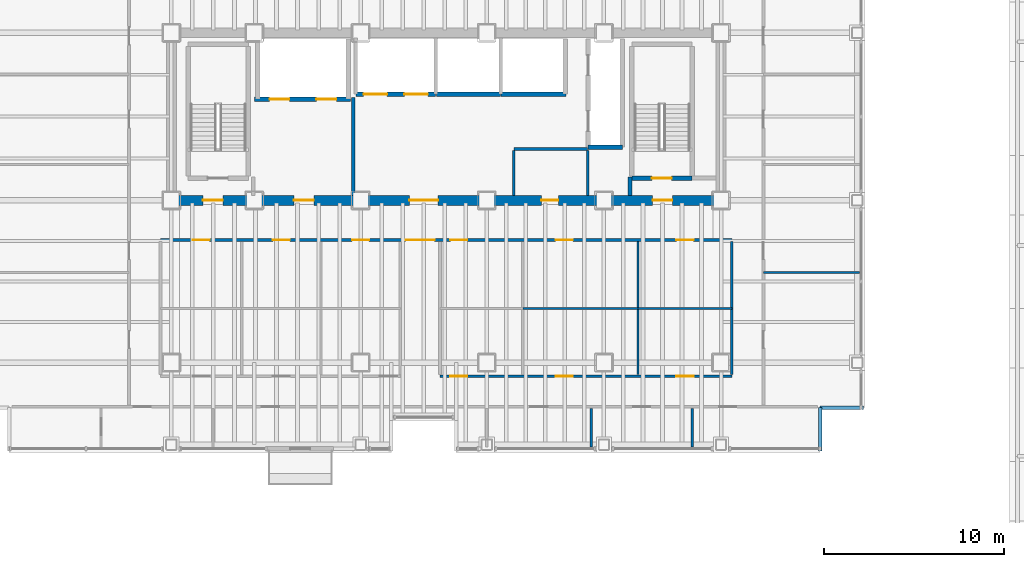
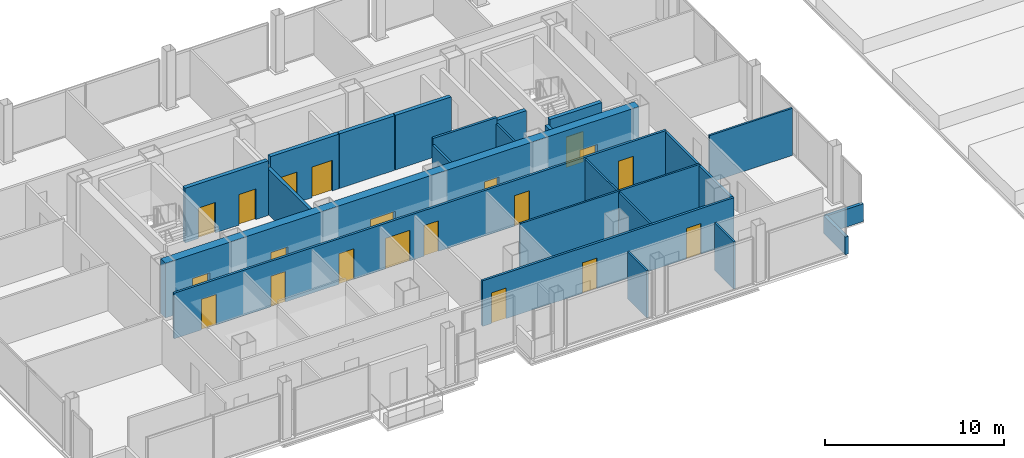
# One storey, part 26 of 30: 23 walls, 20 doors, 20 openings.
"""IFC4 building model written with IfcOpenShell, lengths in metres."""

from ifc_helpers import new_model, si_unit, direction, frame, frame_2d, origin, place, context, subcontext, project, spatial, rectangle, extrude, material, layer, layer_set, type_object, element, fill, save


model = new_model("IFC4")

# Units and contexts
model_context = context("Model", 3, precision=1e-05, world=origin(), true_north=direction((0.0, 1.0)))
body_context = subcontext(model_context, "Body", "Model", "MODEL_VIEW")
ifc_project = project(units=[si_unit("LENGTHUNIT", "METRE"), si_unit("AREAUNIT", "SQUARE_METRE"), si_unit("VOLUMEUNIT", "CUBIC_METRE"), si_unit("PLANEANGLEUNIT", "RADIAN"), si_unit("MASSUNIT", "GRAM", prefix="KILO")], contexts=[model_context])

# Site, building, storey
site_placement = place(None, origin())
site = spatial("IfcSite", under=ifc_project, at=site_placement, CompositionType="ELEMENT")
building_placement = place(site_placement, origin())
building = spatial("IfcBuilding", under=site, at=building_placement, Name="Noeulbin Bourse Tower", CompositionType="ELEMENT")
storey_placement = place(building_placement, frame((0.0, 0.0, 26.5)))
storey = spatial("IfcBuildingStorey", under=building, at=storey_placement, Name="L06", CompositionType="ELEMENT", Elevation=26.5)

# Wall, openings, doors
ifc_material_1 = material(Name="Concrete C60/75", Category="concrete")
ifc_layer_1 = layer(ifc_material_1, 0.550048828125)
ifc_layer_set_1 = layer_set([ifc_layer_1], Name="Concrete C60/75")
wall_type_1 = type_object("IfcWallType", Name="WAL-CORE-550", PredefinedType="SHEAR", material=ifc_layer_set_1)
wall_1_placement = place(storey_placement, frame((13.5, 29.0, 0.0), z_axis=(0.0, 0.0, 1.0), x_axis=(1.0, 0.0, 0.0)))
wall_1 = element("IfcWall", 1, at=wall_1_placement, inside=storey, type_object=wall_type_1, Name="Rear Core South Shear Wall L06", PredefinedType="SHEAR", context=body_context, shape_type="SweptSolid", body=[
    extrude(rectangle(XDim=30.5, YDim=0.550048828125, at=frame_2d((15.25, 0.0))), origin(), (0.0, 0.0, 1.0), 3.719970703125),
])
opening_1_placement = place(wall_1_placement, frame((1.75, 0.0, 0.0)))
opening_1 = element("IfcOpeningElement", 2, at=opening_1_placement, cuts=wall_1, Name="Opening FD-11", PredefinedType="OPENING", context=body_context, shape_type="SweptSolid", body=[
    extrude(rectangle(XDim=1.10009765625, YDim=2.080078125, at=frame_2d((0.550048828125, 1.0400390625))), frame((0.0, 0.284912109375, 0.0), z_axis=(0.0, -1.0, 0.0), x_axis=(1.0, 0.0, 0.0)), (0.0, 0.0, 1.0), 0.570068359375),
])
opening_2_placement = place(wall_1_placement, frame((26.699951171875, 0.0, 0.0)))
opening_2 = element("IfcOpeningElement", 3, at=opening_2_placement, cuts=wall_1, Name="Opening FD-11", PredefinedType="OPENING", context=body_context, shape_type="SweptSolid", body=[
    extrude(rectangle(XDim=1.10009765625, YDim=2.080078125, at=frame_2d((0.550048828125, 1.0400390625))), frame((0.0, 0.284912109375, 0.0), z_axis=(0.0, -1.0, 0.0), x_axis=(1.0, 0.0, 0.0)), (0.0, 0.0, 1.0), 0.570068359375),
])
opening_3_placement = place(wall_1_placement, frame((6.800048828125, 0.0, 0.0)))
opening_3 = element("IfcOpeningElement", 4, at=opening_3_placement, cuts=wall_1, Name="Opening FD-11", PredefinedType="OPENING", context=body_context, shape_type="SweptSolid", body=[
    extrude(rectangle(XDim=1.10009765625, YDim=2.080078125, at=frame_2d((0.550048828125, 1.0400390625))), frame((0.0, 0.284912109375, 0.0), z_axis=(0.0, -1.0, 0.0), x_axis=(1.0, 0.0, 0.0)), (0.0, 0.0, 1.0), 0.570068359375),
])
opening_4_placement = place(wall_1_placement, frame((13.199951171875, 0.0, 0.0)))
opening_4 = element("IfcOpeningElement", 5, at=opening_4_placement, cuts=wall_1, Name="Opening ID-16", PredefinedType="OPENING", context=body_context, shape_type="SweptSolid", body=[
    extrude(rectangle(XDim=1.60009765625, YDim=2.080078125, at=frame_2d((0.800048828125, 1.0400390625))), frame((0.0, 0.284912109375, 0.0), z_axis=(0.0, -1.0, 0.0), x_axis=(1.0, 0.0, 0.0)), (0.0, 0.0, 1.0), 0.570068359375),
])
opening_5_placement = place(wall_1_placement, frame((20.52490234375, 0.0, 0.0)))
opening_5 = element("IfcOpeningElement", 6, at=opening_5_placement, cuts=wall_1, Name="Opening ID-09", PredefinedType="OPENING", context=body_context, shape_type="SweptSolid", body=[
    extrude(rectangle(XDim=0.949951171875, YDim=2.080078125, at=frame_2d((0.47509765625, 1.0400390625))), frame((0.0, 0.284912109375, 0.0), z_axis=(0.0, -1.0, 0.0), x_axis=(1.0, 0.0, 0.0)), (0.0, 0.0, 1.0), 0.570068359375),
])
ifc_material_2 = material(Name="Acoustic Glazed Aluminium", Category="aluminium")
door_type_1 = type_object("IfcDoorType", Name="DR-DBL-1600", OperationType="DOUBLE_DOOR_SINGLE_SWING", PredefinedType="DOOR", material=ifc_material_2)
door_1_placement = place(opening_4_placement, origin())
door_1 = element("IfcDoor", 7, at=door_1_placement, inside=storey, type_object=door_type_1, Name="Passenger Lift Lobby Portal L06", OperationType="DOUBLE_DOOR_SINGLE_SWING", OverallHeight=2.080078125, OverallWidth=1.60009765625, PredefinedType="DOOR", context=body_context, shape_type="SweptSolid", body=[
    extrude(rectangle(XDim=1.60009765625, YDim=2.080078125, at=frame_2d((0.800048828125, 1.0400390625))), frame((0.0, 0.02490234375, 0.0), z_axis=(0.0, -1.0, 0.0), x_axis=(1.0, 0.0, 0.0)), (0.0, 0.0, 1.0), 0.050048828125),
])
fill(opening_4, door_1)
ifc_material_3 = material(Name="Fire-Rated Insulated Steel", Category="steel")
door_type_2 = type_object("IfcDoorType", Name="DR-FD60-1100", OperationType="SINGLE_SWING_LEFT", PredefinedType="DOOR", material=ifc_material_3)
door_2_placement = place(opening_1_placement, origin())
door_2 = element("IfcDoor", 8, at=door_2_placement, inside=storey, type_object=door_type_2, Name="West Stair Lobby Door L06", OperationType="SINGLE_SWING_RIGHT", OverallHeight=2.080078125, OverallWidth=1.10009765625, PredefinedType="DOOR", context=body_context, shape_type="SweptSolid", body=[
    extrude(rectangle(XDim=1.10009765625, YDim=2.080078125, at=frame_2d((0.550048828125, 1.0400390625))), frame((0.0, 0.02490234375, 0.0), z_axis=(0.0, -1.0, 0.0), x_axis=(1.0, 0.0, 0.0)), (0.0, 0.0, 1.0), 0.050048828125),
])
fill(opening_1, door_2)
door_3_placement = place(opening_2_placement, origin())
door_3 = element("IfcDoor", 9, at=door_3_placement, inside=storey, type_object=door_type_2, Name="East Stair Lobby Door L06", OperationType="SINGLE_SWING_LEFT", OverallHeight=2.080078125, OverallWidth=1.10009765625, PredefinedType="DOOR", context=body_context, shape_type="SweptSolid", body=[
    extrude(rectangle(XDim=1.10009765625, YDim=2.080078125, at=frame_2d((0.550048828125, 1.0400390625))), frame((0.0, 0.02490234375, 0.0), z_axis=(0.0, -1.0, 0.0), x_axis=(1.0, 0.0, 0.0)), (0.0, 0.0, 1.0), 0.050048828125),
])
fill(opening_2, door_3)
door_4_placement = place(opening_3_placement, origin())
door_4 = element("IfcDoor", 10, at=door_4_placement, inside=storey, type_object=door_type_2, Name="Firefighting Lobby Door L06", OperationType="SINGLE_SWING_RIGHT", OverallHeight=2.080078125, OverallWidth=1.10009765625, PredefinedType="DOOR", context=body_context, shape_type="SweptSolid", body=[
    extrude(rectangle(XDim=1.10009765625, YDim=2.080078125, at=frame_2d((0.550048828125, 1.0400390625))), frame((0.0, 0.02490234375, 0.0), z_axis=(0.0, -1.0, 0.0), x_axis=(1.0, 0.0, 0.0)), (0.0, 0.0, 1.0), 0.050048828125),
])
fill(opening_3, door_4)
ifc_material_4 = material(Name="Acoustic Solid-Core Timber", Category="wood")
door_type_3 = type_object("IfcDoorType", Name="DR-SINGLE-950", OperationType="SINGLE_SWING_LEFT", PredefinedType="DOOR", material=ifc_material_4)
door_5_placement = place(opening_5_placement, origin())
door_5 = element("IfcDoor", 11, at=door_5_placement, inside=storey, type_object=door_type_3, Name="Interior Door L06-05", OperationType="SINGLE_SWING_RIGHT", OverallHeight=2.080078125, OverallWidth=0.949951171875, PredefinedType="DOOR", context=body_context, shape_type="SweptSolid", body=[
    extrude(rectangle(XDim=0.949951171875, YDim=2.080078125, at=frame_2d((0.47509765625, 1.0400390625))), frame((0.0, 0.02490234375, 0.0), z_axis=(0.0, -1.0, 0.0), x_axis=(1.0, 0.0, 0.0)), (0.0, 0.0, 1.0), 0.050048828125),
])
fill(opening_5, door_5)

# Walls
ifc_material_5 = material(Name="Concrete C40/50", Category="concrete")
ifc_layer_2 = layer(ifc_material_5, 0.199951171875)
ifc_layer_set_2 = layer_set([ifc_layer_2], Name="Concrete C40/50")
wall_type_2 = type_object("IfcWallType", Name="WAL-FIRE-200", PredefinedType="STANDARD", material=ifc_layer_set_2)
wall_2_placement = place(storey_placement, frame((38.949951171875, 29.284912109375, 0.0), z_axis=(0.0, 0.0, 1.0), x_axis=(0.0, 1.0, 0.0)))
element("IfcWall", 12, at=wall_2_placement, inside=storey, type_object=wall_type_2, Name="Interior Partition Wall L06-21", PredefinedType="STANDARD", context=body_context, shape_type="SweptSolid", body=[
    extrude(rectangle(XDim=1.01513671875, YDim=0.199951171875, at=frame_2d((0.507568359375, 0.0))), origin(), (0.0, 0.0, 1.0), 3.300048828125),
])
wall_3_placement = place(storey_placement, frame((23.60009765625, 29.284912109375, 0.0), z_axis=(0.0, 0.0, 1.0), x_axis=(0.0, 1.0, 0.0)))
element("IfcWall", 13, at=wall_3_placement, inside=storey, type_object=wall_type_2, Name="Interior Partition Wall L06-22", PredefinedType="STANDARD", context=body_context, shape_type="SweptSolid", body=[
    extrude(rectangle(XDim=5.4150390625, YDim=0.199951171875, at=frame_2d((2.70751953125, 0.0))), origin(), (0.0, 0.0, 1.0), 3.10009765625),
])
ifc_layer_3 = layer(ifc_material_5, 0.199951171875)
ifc_layer_set_3 = layer_set([ifc_layer_3], Name="Concrete C40/50")
wall_type_3 = type_object("IfcWallType", Name="WAL-PAR-200", PredefinedType="PARAPET", material=ifc_layer_set_3)
for number, where, z_axis, x_axis, name in (
    (14, (49.5, 15.10009765625, 0.0), (0.0, 0.0, 1.0), (0.0, 1.0, 0.0), "Corner Notch Parapet L06-SE1"),
    (15, (49.5, 17.5, 0.0), (0.0, 0.0, 1.0), (1.0, 0.0, 0.0), "Corner Notch Parapet L06-SE2"),
):
    element("IfcWall", number, at=place(storey_placement, frame(where, z_axis=z_axis, x_axis=x_axis)), inside=storey, type_object=wall_type_3, Name=name, PredefinedType="PARAPET", context=body_context, shape_type="SweptSolid", body=[
        extrude(rectangle(XDim=2.39990234375, YDim=0.199951171875, at=frame_2d((1.199951171875, 0.0))), origin(), (0.0, 0.0, 1.0), 1.199951171875),
    ])
ifc_material_6 = material(Name="Steel Stud Gypsum Partition", Category="steel")
ifc_layer_4 = layer(ifc_material_6, 0.1201171875)
ifc_layer_set_4 = layer_set([ifc_layer_4], Name="Steel Stud Gypsum Partition")
wall_type_4 = type_object("IfcWallType", Name="WAL-PRT-120", PredefinedType="PARTITIONING", material=ifc_layer_set_4)
wall_4_placement = place(storey_placement, frame((33.0, 23.0, 0.0), z_axis=(0.0, 0.0, 1.0), x_axis=(1.0, 0.0, 0.0)))
element("IfcWall", 16, at=wall_4_placement, inside=storey, type_object=wall_type_4, Name="Interior Partition Wall L06-11", PredefinedType="PARTITIONING", context=body_context, shape_type="SweptSolid", body=[
    extrude(rectangle(XDim=6.39990234375, YDim=0.1201171875, at=frame_2d((3.199951171875, 0.0))), origin(), (0.0, 0.0, 1.0), 3.10009765625),
])
wall_5_placement = place(storey_placement, frame((39.39990234375, 23.0, 0.0), z_axis=(0.0, 0.0, 1.0), x_axis=(1.0, 0.0, 0.0)))
element("IfcWall", 17, at=wall_5_placement, inside=storey, type_object=wall_type_4, Name="Interior Partition Wall L06-12", PredefinedType="PARTITIONING", context=body_context, shape_type="SweptSolid", body=[
    extrude(rectangle(XDim=5.2001953125, YDim=0.1201171875, at=frame_2d((2.60009765625, 0.0))), origin(), (0.0, 0.0, 1.0), 3.10009765625),
])
wall_6_placement = place(storey_placement, frame((46.35009765625, 25.0, 0.0), z_axis=(0.0, 0.0, 1.0), x_axis=(1.0, 0.0, 0.0)))
element("IfcWall", 18, at=wall_6_placement, inside=storey, type_object=wall_type_4, Name="Interior Partition Wall L06-16", PredefinedType="PARTITIONING", context=body_context, shape_type="SweptSolid", body=[
    extrude(rectangle(XDim=5.33984375, YDim=0.1201171875, at=frame_2d((2.669921875, 0.0))), origin(), (0.0, 0.0, 1.0), 3.2119140625),
])
wall_7_placement = place(storey_placement, frame((36.60009765625, 29.284912109375, 0.0), z_axis=(0.0, 0.0, 1.0), x_axis=(0.0, 1.0, 0.0)))
element("IfcWall", 19, at=wall_7_placement, inside=storey, type_object=wall_type_4, Name="Interior Partition Wall L06-24", PredefinedType="PARTITIONING", context=body_context, shape_type="SweptSolid", body=[
    extrude(rectangle(XDim=2.47998046875, YDim=0.1201171875, at=frame_2d((1.239990234375, 0.0))), origin(), (0.0, 0.0, 1.0), 3.300048828125),
])
for number, where, z_axis, x_axis, name in (
    (20, (36.800048828125, 15.31005859375, 0.0), (0.0, 0.0, 1.0), (0.0, 1.0, 0.0), "Interior Partition Wall L06-34"),
    (21, (42.39990234375, 15.31005859375, 0.0), (0.0, 0.0, 1.0), (0.0, 1.0, 0.0), "Interior Partition Wall L06-35"),
):
    element("IfcWall", number, at=place(storey_placement, frame(where, z_axis=z_axis, x_axis=x_axis)), inside=storey, type_object=wall_type_4, Name=name, PredefinedType="PARTITIONING", context=body_context, shape_type="SweptSolid", body=[
        extrude(rectangle(XDim=2.155029296875, YDim=0.1201171875, at=frame_2d((1.07763671875, 0.0))), origin(), (0.0, 0.0, 1.0), 3.2119140625),
    ])
wall_8_placement = place(storey_placement, frame((39.39990234375, 19.3349609375, 0.0), z_axis=(0.0, 0.0, 1.0), x_axis=(0.0, 1.0, 0.0)))
element("IfcWall", 22, at=wall_8_placement, inside=storey, type_object=wall_type_4, Name="Interior Partition Wall L06-39", PredefinedType="PARTITIONING", context=body_context, shape_type="SweptSolid", body=[
    extrude(rectangle(XDim=7.380126953125, YDim=0.1201171875, at=frame_2d((3.68994140625, 0.0))), origin(), (0.0, 0.0, 1.0), 3.0),
])
ifc_material_7 = material(Name="Steel Stud Acoustic Gypsum Board", Category="steel")
ifc_layer_5 = layer(ifc_material_7, 0.14990234375)
ifc_layer_set_5 = layer_set([ifc_layer_5], Name="Steel Stud Acoustic Gypsum Board")
wall_type_5 = type_object("IfcWallType", Name="WAL-PRT-150", PredefinedType="PARTITIONING", material=ifc_layer_set_5)
wall_9_placement = place(storey_placement, frame((32.5, 31.85009765625, 0.0), z_axis=(0.0, 0.0, 1.0), x_axis=(1.0, 0.0, 0.0)))
element("IfcWall", 23, at=wall_9_placement, inside=storey, type_object=wall_type_5, Name="Interior Partition Wall L06-02", PredefinedType="PARTITIONING", context=body_context, shape_type="SweptSolid", body=[
    extrude(rectangle(XDim=4.10009765625, YDim=0.14990234375, at=frame_2d((2.050048828125, 0.0))), origin(), (0.0, 0.0, 1.0), 3.719970703125),
])

# Wall, openings, doors
wall_10_placement = place(storey_placement, frame((12.89990234375, 26.800048828125, 0.0), z_axis=(0.0, 0.0, 1.0), x_axis=(1.0, 0.0, 0.0)))
wall_10 = element("IfcWall", 24, at=wall_10_placement, inside=storey, type_object=wall_type_5, Name="Interior Partition Wall L06-03", PredefinedType="PARTITIONING", context=body_context, shape_type="SweptSolid", body=[
    extrude(rectangle(XDim=31.7001953125, YDim=0.14990234375, at=frame_2d((15.85009765625, 0.0))), origin(), (0.0, 0.0, 1.0), 3.10009765625),
])
opening_6_placement = place(wall_10_placement, frame((13.60009765625, 0.0, 0.0)))
opening_6 = element("IfcOpeningElement", 25, at=opening_6_placement, cuts=wall_10, Name="Opening ID-16", PredefinedType="OPENING", context=body_context, shape_type="SweptSolid", body=[
    extrude(rectangle(XDim=1.60009765625, YDim=2.080078125, at=frame_2d((0.800048828125, 1.0400390625))), frame((0.0, 0.0849609375, 0.0), z_axis=(0.0, -1.0, 0.0), x_axis=(1.0, 0.0, 0.0)), (0.0, 0.0, 1.0), 0.169921875),
])
opening_7_placement = place(wall_10_placement, frame((1.77490234375, 0.0, 0.0)))
opening_7 = element("IfcOpeningElement", 26, at=opening_7_placement, cuts=wall_10, Name="Opening ID-09", PredefinedType="OPENING", context=body_context, shape_type="SweptSolid", body=[
    extrude(rectangle(XDim=0.949951171875, YDim=2.080078125, at=frame_2d((0.47509765625, 1.0400390625))), frame((0.0, 0.0849609375, 0.0), z_axis=(0.0, -1.0, 0.0), x_axis=(1.0, 0.0, 0.0)), (0.0, 0.0, 1.0), 0.169921875),
])
opening_8_placement = place(wall_10_placement, frame((6.22509765625, 0.0, 0.0)))
opening_8 = element("IfcOpeningElement", 27, at=opening_8_placement, cuts=wall_10, Name="Opening ID-09", PredefinedType="OPENING", context=body_context, shape_type="SweptSolid", body=[
    extrude(rectangle(XDim=0.949951171875, YDim=2.080078125, at=frame_2d((0.47509765625, 1.0400390625))), frame((0.0, 0.0849609375, 0.0), z_axis=(0.0, -1.0, 0.0), x_axis=(1.0, 0.0, 0.0)), (0.0, 0.0, 1.0), 0.169921875),
])
opening_9_placement = place(wall_10_placement, frame((10.625, 0.0, 0.0)))
opening_9 = element("IfcOpeningElement", 28, at=opening_9_placement, cuts=wall_10, Name="Opening ID-09", PredefinedType="OPENING", context=body_context, shape_type="SweptSolid", body=[
    extrude(rectangle(XDim=0.949951171875, YDim=2.080078125, at=frame_2d((0.47509765625, 1.0400390625))), frame((0.0, 0.0849609375, 0.0), z_axis=(0.0, -1.0, 0.0), x_axis=(1.0, 0.0, 0.0)), (0.0, 0.0, 1.0), 0.169921875),
])
opening_10_placement = place(wall_10_placement, frame((16.074951171875, 0.0, 0.0)))
opening_10 = element("IfcOpeningElement", 29, at=opening_10_placement, cuts=wall_10, Name="Opening ID-09", PredefinedType="OPENING", context=body_context, shape_type="SweptSolid", body=[
    extrude(rectangle(XDim=0.949951171875, YDim=2.080078125, at=frame_2d((0.47509765625, 1.0400390625))), frame((0.0, 0.0849609375, 0.0), z_axis=(0.0, -1.0, 0.0), x_axis=(1.0, 0.0, 0.0)), (0.0, 0.0, 1.0), 0.169921875),
])
opening_11_placement = place(wall_10_placement, frame((21.925048828125, 0.0, 0.0)))
opening_11 = element("IfcOpeningElement", 30, at=opening_11_placement, cuts=wall_10, Name="Opening ID-09", PredefinedType="OPENING", context=body_context, shape_type="SweptSolid", body=[
    extrude(rectangle(XDim=0.949951171875, YDim=2.080078125, at=frame_2d((0.47509765625, 1.0400390625))), frame((0.0, 0.0849609375, 0.0), z_axis=(0.0, -1.0, 0.0), x_axis=(1.0, 0.0, 0.0)), (0.0, 0.0, 1.0), 0.169921875),
])
opening_12_placement = place(wall_10_placement, frame((28.625, 0.0, 0.0)))
opening_12 = element("IfcOpeningElement", 31, at=opening_12_placement, cuts=wall_10, Name="Opening ID-09", PredefinedType="OPENING", context=body_context, shape_type="SweptSolid", body=[
    extrude(rectangle(XDim=0.949951171875, YDim=2.080078125, at=frame_2d((0.47509765625, 1.0400390625))), frame((0.0, 0.0849609375, 0.0), z_axis=(0.0, -1.0, 0.0), x_axis=(1.0, 0.0, 0.0)), (0.0, 0.0, 1.0), 0.169921875),
])
door_6_placement = place(opening_6_placement, origin())
door_6 = element("IfcDoor", 32, at=door_6_placement, inside=storey, type_object=door_type_1, Name="Interior Door L06-06", OperationType="DOUBLE_DOOR_SINGLE_SWING", OverallHeight=2.080078125, OverallWidth=1.60009765625, PredefinedType="DOOR", context=body_context, shape_type="SweptSolid", body=[
    extrude(rectangle(XDim=1.60009765625, YDim=2.080078125, at=frame_2d((0.800048828125, 1.0400390625))), frame((0.0, 0.02490234375, 0.0), z_axis=(0.0, -1.0, 0.0), x_axis=(1.0, 0.0, 0.0)), (0.0, 0.0, 1.0), 0.050048828125),
])
fill(opening_6, door_6)
door_7_placement = place(opening_7_placement, origin())
door_7 = element("IfcDoor", 33, at=door_7_placement, inside=storey, type_object=door_type_3, Name="Interior Door L06-13", OperationType="SINGLE_SWING_RIGHT", OverallHeight=2.080078125, OverallWidth=0.949951171875, PredefinedType="DOOR", context=body_context, shape_type="SweptSolid", body=[
    extrude(rectangle(XDim=0.949951171875, YDim=2.080078125, at=frame_2d((0.47509765625, 1.0400390625))), frame((0.0, 0.02490234375, 0.0), z_axis=(0.0, -1.0, 0.0), x_axis=(1.0, 0.0, 0.0)), (0.0, 0.0, 1.0), 0.050048828125),
])
fill(opening_7, door_7)
door_8_placement = place(opening_8_placement, origin())
door_8 = element("IfcDoor", 34, at=door_8_placement, inside=storey, type_object=door_type_3, Name="Interior Door L06-15", OperationType="SINGLE_SWING_RIGHT", OverallHeight=2.080078125, OverallWidth=0.949951171875, PredefinedType="DOOR", context=body_context, shape_type="SweptSolid", body=[
    extrude(rectangle(XDim=0.949951171875, YDim=2.080078125, at=frame_2d((0.47509765625, 1.0400390625))), frame((0.0, 0.02490234375, 0.0), z_axis=(0.0, -1.0, 0.0), x_axis=(1.0, 0.0, 0.0)), (0.0, 0.0, 1.0), 0.050048828125),
])
fill(opening_8, door_8)
door_9_placement = place(opening_9_placement, origin())
door_9 = element("IfcDoor", 35, at=door_9_placement, inside=storey, type_object=door_type_3, Name="Interior Door L06-17", OperationType="SINGLE_SWING_RIGHT", OverallHeight=2.080078125, OverallWidth=0.949951171875, PredefinedType="DOOR", context=body_context, shape_type="SweptSolid", body=[
    extrude(rectangle(XDim=0.949951171875, YDim=2.080078125, at=frame_2d((0.47509765625, 1.0400390625))), frame((0.0, 0.02490234375, 0.0), z_axis=(0.0, -1.0, 0.0), x_axis=(1.0, 0.0, 0.0)), (0.0, 0.0, 1.0), 0.050048828125),
])
fill(opening_9, door_9)
door_10_placement = place(opening_10_placement, origin())
door_10 = element("IfcDoor", 36, at=door_10_placement, inside=storey, type_object=door_type_3, Name="Interior Door L06-19", OperationType="SINGLE_SWING_RIGHT", OverallHeight=2.080078125, OverallWidth=0.949951171875, PredefinedType="DOOR", context=body_context, shape_type="SweptSolid", body=[
    extrude(rectangle(XDim=0.949951171875, YDim=2.080078125, at=frame_2d((0.47509765625, 1.0400390625))), frame((0.0, 0.02490234375, 0.0), z_axis=(0.0, -1.0, 0.0), x_axis=(1.0, 0.0, 0.0)), (0.0, 0.0, 1.0), 0.050048828125),
])
fill(opening_10, door_10)
door_11_placement = place(opening_11_placement, origin())
door_11 = element("IfcDoor", 37, at=door_11_placement, inside=storey, type_object=door_type_3, Name="Interior Door L06-21", OperationType="SINGLE_SWING_RIGHT", OverallHeight=2.080078125, OverallWidth=0.949951171875, PredefinedType="DOOR", context=body_context, shape_type="SweptSolid", body=[
    extrude(rectangle(XDim=0.949951171875, YDim=2.080078125, at=frame_2d((0.47509765625, 1.0400390625))), frame((0.0, 0.02490234375, 0.0), z_axis=(0.0, -1.0, 0.0), x_axis=(1.0, 0.0, 0.0)), (0.0, 0.0, 1.0), 0.050048828125),
])
fill(opening_11, door_11)
door_12_placement = place(opening_12_placement, origin())
door_12 = element("IfcDoor", 38, at=door_12_placement, inside=storey, type_object=door_type_3, Name="Interior Door L06-23", OperationType="SINGLE_SWING_RIGHT", OverallHeight=2.080078125, OverallWidth=0.949951171875, PredefinedType="DOOR", context=body_context, shape_type="SweptSolid", body=[
    extrude(rectangle(XDim=0.949951171875, YDim=2.080078125, at=frame_2d((0.47509765625, 1.0400390625))), frame((0.0, 0.02490234375, 0.0), z_axis=(0.0, -1.0, 0.0), x_axis=(1.0, 0.0, 0.0)), (0.0, 0.0, 1.0), 0.050048828125),
])
fill(opening_12, door_12)

wall_11_placement = place(storey_placement, frame((28.39990234375, 19.25, 0.0), z_axis=(0.0, 0.0, 1.0), x_axis=(1.0, 0.0, 0.0)))
wall_11 = element("IfcWall", 39, at=wall_11_placement, inside=storey, type_object=wall_type_5, Name="Interior Partition Wall L06-06", PredefinedType="PARTITIONING", context=body_context, shape_type="SweptSolid", body=[
    extrude(rectangle(XDim=16.2001953125, YDim=0.14990234375, at=frame_2d((8.10009765625, 0.0))), origin(), (0.0, 0.0, 1.0), 3.10009765625),
])
opening_13_placement = place(wall_11_placement, frame((0.574951171875, 0.0, 0.0)))
opening_13 = element("IfcOpeningElement", 40, at=opening_13_placement, cuts=wall_11, Name="Opening ID-09", PredefinedType="OPENING", context=body_context, shape_type="SweptSolid", body=[
    extrude(rectangle(XDim=0.949951171875, YDim=2.080078125, at=frame_2d((0.47509765625, 1.0400390625))), frame((0.0, 0.0849609375, 0.0), z_axis=(0.0, -1.0, 0.0), x_axis=(1.0, 0.0, 0.0)), (0.0, 0.0, 1.0), 0.169921875),
])
opening_14_placement = place(wall_11_placement, frame((6.425048828125, 0.0, 0.0)))
opening_14 = element("IfcOpeningElement", 41, at=opening_14_placement, cuts=wall_11, Name="Opening ID-09", PredefinedType="OPENING", context=body_context, shape_type="SweptSolid", body=[
    extrude(rectangle(XDim=0.949951171875, YDim=2.080078125, at=frame_2d((0.47509765625, 1.0400390625))), frame((0.0, 0.0849609375, 0.0), z_axis=(0.0, -1.0, 0.0), x_axis=(1.0, 0.0, 0.0)), (0.0, 0.0, 1.0), 0.169921875),
])
opening_15_placement = place(wall_11_placement, frame((13.125, 0.0, 0.0)))
opening_15 = element("IfcOpeningElement", 42, at=opening_15_placement, cuts=wall_11, Name="Opening ID-09", PredefinedType="OPENING", context=body_context, shape_type="SweptSolid", body=[
    extrude(rectangle(XDim=0.949951171875, YDim=2.080078125, at=frame_2d((0.47509765625, 1.0400390625))), frame((0.0, 0.0849609375, 0.0), z_axis=(0.0, -1.0, 0.0), x_axis=(1.0, 0.0, 0.0)), (0.0, 0.0, 1.0), 0.169921875),
])
door_13_placement = place(opening_13_placement, origin())
door_13 = element("IfcDoor", 43, at=door_13_placement, inside=storey, type_object=door_type_3, Name="Interior Door L06-20", OperationType="SINGLE_SWING_LEFT", OverallHeight=2.080078125, OverallWidth=0.949951171875, PredefinedType="DOOR", context=body_context, shape_type="SweptSolid", body=[
    extrude(rectangle(XDim=0.949951171875, YDim=2.080078125, at=frame_2d((0.47509765625, 1.0400390625))), frame((0.0, 0.02490234375, 0.0), z_axis=(0.0, -1.0, 0.0), x_axis=(1.0, 0.0, 0.0)), (0.0, 0.0, 1.0), 0.050048828125),
])
fill(opening_13, door_13)
door_14_placement = place(opening_14_placement, origin())
door_14 = element("IfcDoor", 44, at=door_14_placement, inside=storey, type_object=door_type_3, Name="Interior Door L06-22", OperationType="SINGLE_SWING_LEFT", OverallHeight=2.080078125, OverallWidth=0.949951171875, PredefinedType="DOOR", context=body_context, shape_type="SweptSolid", body=[
    extrude(rectangle(XDim=0.949951171875, YDim=2.080078125, at=frame_2d((0.47509765625, 1.0400390625))), frame((0.0, 0.02490234375, 0.0), z_axis=(0.0, -1.0, 0.0), x_axis=(1.0, 0.0, 0.0)), (0.0, 0.0, 1.0), 0.050048828125),
])
fill(opening_14, door_14)
door_15_placement = place(opening_15_placement, origin())
door_15 = element("IfcDoor", 45, at=door_15_placement, inside=storey, type_object=door_type_3, Name="Interior Door L06-24", OperationType="SINGLE_SWING_LEFT", OverallHeight=2.080078125, OverallWidth=0.949951171875, PredefinedType="DOOR", context=body_context, shape_type="SweptSolid", body=[
    extrude(rectangle(XDim=0.949951171875, YDim=2.080078125, at=frame_2d((0.47509765625, 1.0400390625))), frame((0.0, 0.02490234375, 0.0), z_axis=(0.0, -1.0, 0.0), x_axis=(1.0, 0.0, 0.0)), (0.0, 0.0, 1.0), 0.050048828125),
])
fill(opening_15, door_15)

# Walls
wall_12_placement = place(storey_placement, frame((32.5, 29.284912109375, 0.0), z_axis=(0.0, 0.0, 1.0), x_axis=(0.0, 1.0, 0.0)))
element("IfcWall", 46, at=wall_12_placement, inside=storey, type_object=wall_type_5, Name="Interior Partition Wall L06-23", PredefinedType="PARTITIONING", context=body_context, shape_type="SweptSolid", body=[
    extrude(rectangle(XDim=2.47998046875, YDim=0.14990234375, at=frame_2d((1.239990234375, 0.0))), origin(), (0.0, 0.0, 1.0), 3.300048828125),
])
wall_13_placement = place(storey_placement, frame((44.60009765625, 19.3349609375, 0.0), z_axis=(0.0, 0.0, 1.0), x_axis=(0.0, 1.0, 0.0)))
element("IfcWall", 47, at=wall_13_placement, inside=storey, type_object=wall_type_5, Name="Interior Partition Wall L06-30", PredefinedType="PARTITIONING", context=body_context, shape_type="SweptSolid", body=[
    extrude(rectangle(XDim=7.380126953125, YDim=0.14990234375, at=frame_2d((3.68994140625, 0.0))), origin(), (0.0, 0.0, 1.0), 3.0),
])

# Wall, opening, door
ifc_layer_6 = layer(ifc_material_5, 0.25)
ifc_layer_set_6 = layer_set([ifc_layer_6], Name="Concrete C40/50")
wall_type_6 = type_object("IfcWallType", Name="WAL-SHFT-250", PredefinedType="STANDARD", material=ifc_layer_set_6)
wall_14_placement = place(storey_placement, frame((39.06005859375, 30.235107421875, 0.0), z_axis=(0.0, 0.0, 1.0), x_axis=(1.0, 0.0, 0.0)))
wall_14 = element("IfcWall", 48, at=wall_14_placement, inside=storey, type_object=wall_type_6, Name="Stair ST-2 South Shaft Wall L06", PredefinedType="STANDARD", context=body_context, shape_type="SweptSolid", body=[
    extrude(rectangle(XDim=3.33984375, YDim=0.25, at=frame_2d((1.669921875, 0.0))), origin(), (0.0, 0.0, 1.0), 3.719970703125),
])
opening_16_placement = place(wall_14_placement, frame((1.10009765625, 0.0, 0.0)))
opening_16 = element("IfcOpeningElement", 49, at=opening_16_placement, cuts=wall_14, Name="Opening FD-11", PredefinedType="OPENING", context=body_context, shape_type="SweptSolid", body=[
    extrude(rectangle(XDim=1.10009765625, YDim=2.080078125, at=frame_2d((0.550048828125, 1.0400390625))), frame((0.0, 0.135009765625, 0.0), z_axis=(0.0, -1.0, 0.0), x_axis=(1.0, 0.0, 0.0)), (0.0, 0.0, 1.0), 0.27001953125),
])
door_16_placement = place(opening_16_placement, origin())
door_16 = element("IfcDoor", 50, at=door_16_placement, inside=storey, type_object=door_type_2, Name="Protected Stair Entry Door ST2-L06", OperationType="SINGLE_SWING_LEFT", OverallHeight=2.080078125, OverallWidth=1.10009765625, PredefinedType="DOOR", context=body_context, shape_type="SweptSolid", body=[
    extrude(rectangle(XDim=1.10009765625, YDim=2.080078125, at=frame_2d((0.550048828125, 1.0400390625))), frame((0.0, 0.02490234375, 0.0), z_axis=(0.0, -1.0, 0.0), x_axis=(1.0, 0.0, 0.0)), (0.0, 0.0, 1.0), 0.050048828125),
])
fill(opening_16, door_16)

# Wall, openings, doors
wall_15_placement = place(storey_placement, frame((18.10009765625, 34.6201171875, 0.0), z_axis=(0.0, 0.0, 1.0), x_axis=(1.0, 0.0, 0.0)))
wall_15 = element("IfcWall", 51, at=wall_15_placement, inside=storey, type_object=wall_type_6, Name="Firefighting Lift Shaft Front L06", PredefinedType="STANDARD", context=body_context, shape_type="SweptSolid", body=[
    extrude(rectangle(XDim=5.349853515625, YDim=0.25, at=frame_2d((2.6748046875, 0.0))), origin(), (0.0, 0.0, 1.0), 3.719970703125),
])
opening_17_placement = place(wall_15_placement, frame((0.85009765625, 0.0, 0.0)))
opening_17 = element("IfcOpeningElement", 52, at=opening_17_placement, cuts=wall_15, Name="Opening LD-11", PredefinedType="OPENING", context=body_context, shape_type="SweptSolid", body=[
    extrude(rectangle(XDim=1.10009765625, YDim=2.080078125, at=frame_2d((0.550048828125, 1.0400390625))), frame((0.0, 0.135009765625, 0.0), z_axis=(0.0, -1.0, 0.0), x_axis=(1.0, 0.0, 0.0)), (0.0, 0.0, 1.0), 0.27001953125),
])
opening_18_placement = place(wall_15_placement, frame((3.449951171875, 0.0, 0.0)))
opening_18 = element("IfcOpeningElement", 53, at=opening_18_placement, cuts=wall_15, Name="Opening LD-11", PredefinedType="OPENING", context=body_context, shape_type="SweptSolid", body=[
    extrude(rectangle(XDim=1.10009765625, YDim=2.080078125, at=frame_2d((0.550048828125, 1.0400390625))), frame((0.0, 0.135009765625, 0.0), z_axis=(0.0, -1.0, 0.0), x_axis=(1.0, 0.0, 0.0)), (0.0, 0.0, 1.0), 0.27001953125),
])
ifc_material_8 = material(Name="Brushed Stainless Steel 316", Category="steel")
door_type_4 = type_object("IfcDoorType", Name="DR-LIFT-1100", OperationType="SLIDING_TO_LEFT", PredefinedType="DOOR", material=ifc_material_8)
door_17_placement = place(opening_17_placement, origin())
door_17 = element("IfcDoor", 54, at=door_17_placement, inside=storey, type_object=door_type_4, Name="Lift Landing Door LD-FL-01-L06", OperationType="SLIDING_TO_LEFT", OverallHeight=2.080078125, OverallWidth=1.10009765625, PredefinedType="DOOR", context=body_context, shape_type="SweptSolid", body=[
    extrude(rectangle(XDim=1.10009765625, YDim=2.080078125, at=frame_2d((0.550048828125, 1.0400390625))), frame((0.0, 0.02490234375, 0.0), z_axis=(0.0, -1.0, 0.0), x_axis=(1.0, 0.0, 0.0)), (0.0, 0.0, 1.0), 0.050048828125),
])
fill(opening_17, door_17)
door_18_placement = place(opening_18_placement, origin())
door_18 = element("IfcDoor", 55, at=door_18_placement, inside=storey, type_object=door_type_4, Name="Lift Landing Door LD-FL-02-L06", OperationType="SLIDING_TO_LEFT", OverallHeight=2.080078125, OverallWidth=1.10009765625, PredefinedType="DOOR", context=body_context, shape_type="SweptSolid", body=[
    extrude(rectangle(XDim=1.10009765625, YDim=2.080078125, at=frame_2d((0.550048828125, 1.0400390625))), frame((0.0, 0.02490234375, 0.0), z_axis=(0.0, -1.0, 0.0), x_axis=(1.0, 0.0, 0.0)), (0.0, 0.0, 1.0), 0.050048828125),
])
fill(opening_18, door_18)

# Wall
wall_16_placement = place(storey_placement, frame((36.6201171875, 31.949951171875, 0.0), z_axis=(0.0, 0.0, 1.0), x_axis=(1.0, 0.0, 0.0)))
element("IfcWall", 56, at=wall_16_placement, inside=storey, type_object=wall_type_6, Name="Service Lift South Shaft Wall L06", PredefinedType="STANDARD", context=body_context, shape_type="SweptSolid", body=[
    extrude(rectangle(XDim=1.89990234375, YDim=0.25, at=frame_2d((0.949951171875, 0.0))), origin(), (0.0, 0.0, 1.0), 3.47998046875),
])

# Wall, openings, doors
wall_17_placement = place(storey_placement, frame((23.75, 34.89990234375, 0.0), z_axis=(0.0, 0.0, 1.0), x_axis=(1.0, 0.0, 0.0)))
wall_17 = element("IfcWall", 57, at=wall_17_placement, inside=storey, type_object=wall_type_6, Name="Low-Rise Lift Bank Front L06", PredefinedType="STANDARD", context=body_context, shape_type="SweptSolid", body=[
    extrude(rectangle(XDim=4.39990234375, YDim=0.25, at=frame_2d((2.199951171875, 0.0))), origin(), (0.0, 0.0, 1.0), 3.719970703125),
])
opening_19_placement = place(wall_17_placement, frame((0.419921875, 0.0, 0.0)))
opening_19 = element("IfcOpeningElement", 58, at=opening_19_placement, cuts=wall_17, Name="Opening LD-13", PredefinedType="OPENING", context=body_context, shape_type="SweptSolid", body=[
    extrude(rectangle(XDim=1.300048828125, YDim=2.080078125, at=frame_2d((0.64990234375, 1.0400390625))), frame((0.0, 0.135009765625, 0.0), z_axis=(0.0, -1.0, 0.0), x_axis=(1.0, 0.0, 0.0)), (0.0, 0.0, 1.0), 0.27001953125),
])
opening_20_placement = place(wall_17_placement, frame((2.679931640625, 0.0, 0.0)))
opening_20 = element("IfcOpeningElement", 59, at=opening_20_placement, cuts=wall_17, Name="Opening LD-13", PredefinedType="OPENING", context=body_context, shape_type="SweptSolid", body=[
    extrude(rectangle(XDim=1.300048828125, YDim=2.080078125, at=frame_2d((0.64990234375, 1.0400390625))), frame((0.0, 0.135009765625, 0.0), z_axis=(0.0, -1.0, 0.0), x_axis=(1.0, 0.0, 0.0)), (0.0, 0.0, 1.0), 0.27001953125),
])
door_type_5 = type_object("IfcDoorType", Name="DR-LIFT-1300", OperationType="DOUBLE_DOOR_SLIDING", PredefinedType="DOOR", material=ifc_material_8)
door_19_placement = place(opening_19_placement, origin())
door_19 = element("IfcDoor", 60, at=door_19_placement, inside=storey, type_object=door_type_5, Name="Lift Landing Door LD-PL-L1-L06", OperationType="DOUBLE_DOOR_SLIDING", OverallHeight=2.080078125, OverallWidth=1.300048828125, PredefinedType="DOOR", context=body_context, shape_type="SweptSolid", body=[
    extrude(rectangle(XDim=1.300048828125, YDim=2.080078125, at=frame_2d((0.64990234375, 1.0400390625))), frame((0.0, 0.02490234375, 0.0), z_axis=(0.0, -1.0, 0.0), x_axis=(1.0, 0.0, 0.0)), (0.0, 0.0, 1.0), 0.050048828125),
])
fill(opening_19, door_19)
door_20_placement = place(opening_20_placement, origin())
door_20 = element("IfcDoor", 61, at=door_20_placement, inside=storey, type_object=door_type_5, Name="Lift Landing Door LD-PL-L2-L06", OperationType="DOUBLE_DOOR_SLIDING", OverallHeight=2.080078125, OverallWidth=1.300048828125, PredefinedType="DOOR", context=body_context, shape_type="SweptSolid", body=[
    extrude(rectangle(XDim=1.300048828125, YDim=2.080078125, at=frame_2d((0.64990234375, 1.0400390625))), frame((0.0, 0.02490234375, 0.0), z_axis=(0.0, -1.0, 0.0), x_axis=(1.0, 0.0, 0.0)), (0.0, 0.0, 1.0), 0.050048828125),
])
fill(opening_20, door_20)

# Walls
wall_18_placement = place(storey_placement, frame((28.199951171875, 34.89990234375, 0.0), z_axis=(0.0, 0.0, 1.0), x_axis=(1.0, 0.0, 0.0)))
element("IfcWall", 62, at=wall_18_placement, inside=storey, type_object=wall_type_6, Name="Mid-Rise Lift Bank Front L06", PredefinedType="STANDARD", context=body_context, shape_type="SweptSolid", body=[
    extrude(rectangle(XDim=3.550048828125, YDim=0.25, at=frame_2d((1.77490234375, 0.0))), origin(), (0.0, 0.0, 1.0), 3.719970703125),
])
wall_19_placement = place(storey_placement, frame((31.800048828125, 34.89990234375, 0.0), z_axis=(0.0, 0.0, 1.0), x_axis=(1.0, 0.0, 0.0)))
element("IfcWall", 63, at=wall_19_placement, inside=storey, type_object=wall_type_6, Name="High-Rise Lift Bank Front L06", PredefinedType="STANDARD", context=body_context, shape_type="SweptSolid", body=[
    extrude(rectangle(XDim=3.599853515625, YDim=0.25, at=frame_2d((1.7998046875, 0.0))), origin(), (0.0, 0.0, 1.0), 3.719970703125),
])

save(model, "model.ifc")
